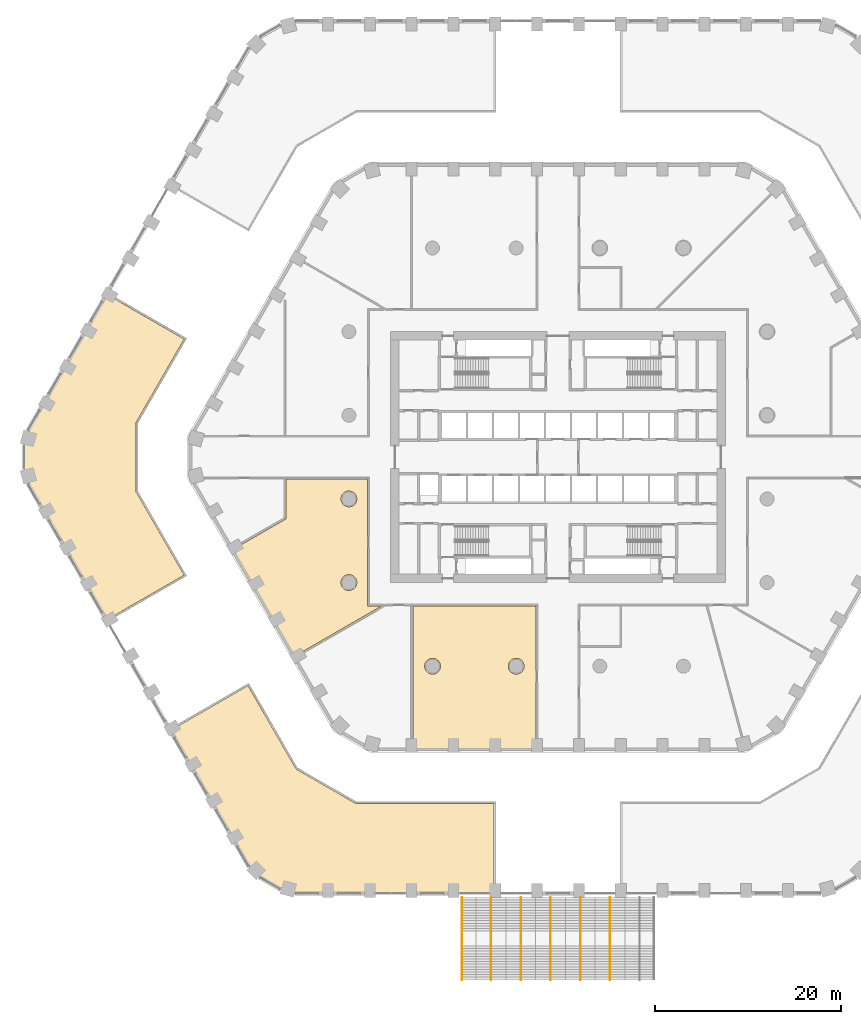
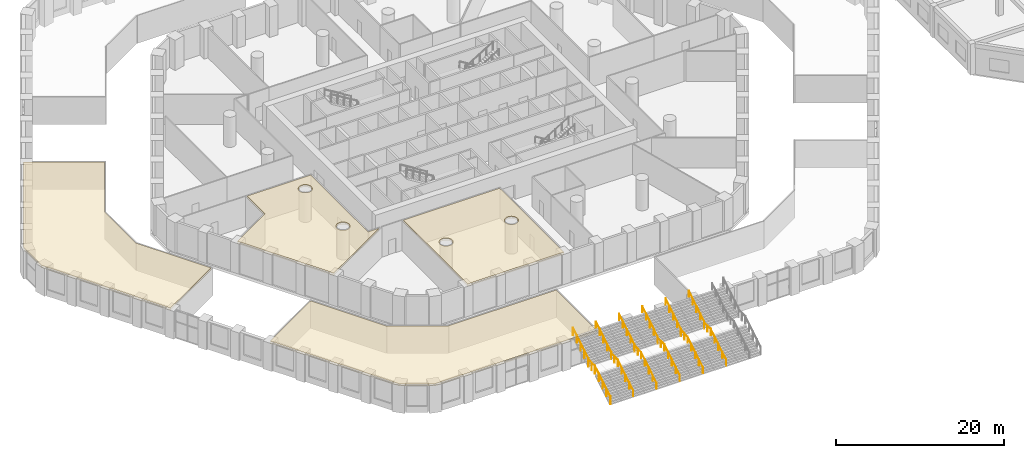
# One storey, part 32 of 42: 6 railings, 4 coverings.
"""IFC4 building model written with IfcOpenShell, lengths in metres."""

from ifc_helpers import new_model, si_unit, direction, frame, origin, origin_2d, place, context, subcontext, project, spatial, polyline, circle, outline, extrude, material, layer, layer_set, type_object, element, save


model = new_model("IFC4")

# Units and contexts
model_context = context("Model", 3, precision=1e-05, world=origin(), true_north=direction((0.0, 1.0)))
body_context = subcontext(model_context, "Body", "Model", "MODEL_VIEW")
ifc_project = project(units=[si_unit("LENGTHUNIT", "METRE"), si_unit("AREAUNIT", "SQUARE_METRE"), si_unit("VOLUMEUNIT", "CUBIC_METRE"), si_unit("PLANEANGLEUNIT", "RADIAN"), si_unit("MASSUNIT", "GRAM", prefix="KILO")], contexts=[model_context])

# Site, building, storey
site_placement = place(None, origin())
site = spatial("IfcSite", under=ifc_project, at=site_placement, CompositionType="ELEMENT")
building_placement = place(site_placement, origin())
building = spatial("IfcBuilding", under=site, at=building_placement, Name="Dhurran Vertical Campus", CompositionType="ELEMENT")
storey_placement = place(building_placement, frame((0.0, 0.0, 6.0)))
storey = spatial("IfcBuildingStorey", under=building, at=storey_placement, Name="L01", CompositionType="ELEMENT", Elevation=6.0)

# Coverings
ifc_material_1 = material(Name="Mineral fibre ceiling tiles on suspended grid")
ifc_layer = layer(ifc_material_1, 0.35009765625)
ifc_layer_set = layer_set([ifc_layer], Name="Mineral fibre ceiling tiles on suspended grid")
covering_type = type_object("IfcCoveringType", Name="fl-CE-350 suspended ceiling", PredefinedType="CEILING", material=ifc_layer_set)
covering_1_placement = place(storey_placement, frame((0.0, 0.0, 3.699951171875)))
element("IfcCovering", 1, at=covering_1_placement, inside=storey, type_object=covering_type, Name="Ceiling 00-H01", PredefinedType="CEILING", context=body_context, shape_type="SweptSolid", body=[
    extrude(outline(polyline([(-6.8701171875, -46.947998046875), (-29.137939453125, -46.947998046875), (-32.839111328125, -44.81103515625), (-41.722900390625, -29.424072265625), (-33.367919921875, -24.60009765625), (-28.18798828125, -33.571044921875), (-21.72900390625, -37.300048828125), (-6.8701171875, -37.300048828125), (-6.8701171875, -46.947998046875)])), origin(), (0.0, 0.0, 1.0), 0.35009765625),
])
covering_2_placement = place(storey_placement, frame((0.0, 0.0, 3.699951171875)))
element("IfcCovering", 2, at=covering_2_placement, inside=storey, type_object=covering_type, Name="Ceiling 00-H06", PredefinedType="CEILING", context=body_context, shape_type="SweptSolid", body=[
    extrude(outline(polyline([(-48.593017578125, -17.52392578125), (-57.47705078125, -2.137939453125), (-57.47705078125, 2.137939453125), (-48.593017578125, 17.52392578125), (-40.238037109375, 12.699951171875), (-45.4169921875, 3.72900390625), (-45.4169921875, -3.72900390625), (-40.238037109375, -12.699951171875), (-48.593017578125, -17.52392578125)])), origin(), (0.0, 0.0, 1.0), 0.35009765625),
])
covering_3_placement = place(storey_placement, frame((0.0, 0.0, 4.050048828125)))
element("IfcCovering", 3, at=covering_3_placement, inside=storey, type_object=covering_type, Name="Ceiling 01-07", PredefinedType="CEILING", context=body_context, shape_type="SweptSolid", body=[
    extrude(outline(polyline([(-20.52001953125, -2.3701171875), (-20.52001953125, -16.02001953125), (-18.988037109375, -16.02001953125), (-28.343017578125, -21.422119140625), (-34.972900390625, -9.93798828125), (-29.280029296875, -6.65087890625), (-29.280029296875, -2.3701171875), (-20.52001953125, -2.3701171875)]), holes=[polyline([(-22.5, -12.64990234375), (-22.5830078125, -12.654052734375), (-22.666015625, -12.666015625), (-22.7470703125, -12.68701171875), (-22.824951171875, -12.715087890625), (-22.90087890625, -12.75), (-22.971923828125, -12.79296875), (-23.0390625, -12.843017578125), (-23.10107421875, -12.89892578125), (-23.156982421875, -12.9609375), (-23.20703125, -13.028076171875), (-23.25, -13.09912109375), (-23.284912109375, -13.175048828125), (-23.31298828125, -13.2529296875), (-23.333984375, -13.333984375), (-23.345947265625, -13.4169921875), (-23.35009765625, -13.5), (-23.345947265625, -13.5830078125), (-23.333984375, -13.666015625), (-23.31298828125, -13.7470703125), (-23.284912109375, -13.824951171875), (-23.25, -13.90087890625), (-23.20703125, -13.971923828125), (-23.156982421875, -14.0390625), (-23.10107421875, -14.10107421875), (-23.0390625, -14.156982421875), (-22.971923828125, -14.20703125), (-22.90087890625, -14.25), (-22.824951171875, -14.284912109375), (-22.7470703125, -14.31298828125), (-22.666015625, -14.333984375), (-22.5830078125, -14.345947265625), (-22.5, -14.35009765625), (-22.4169921875, -14.345947265625), (-22.333984375, -14.333984375), (-22.2529296875, -14.31298828125), (-22.175048828125, -14.284912109375), (-22.09912109375, -14.25), (-22.028076171875, -14.20703125), (-21.9609375, -14.156982421875), (-21.89892578125, -14.10107421875), (-21.843017578125, -14.0390625), (-21.79296875, -13.971923828125), (-21.75, -13.90087890625), (-21.715087890625, -13.824951171875), (-21.68701171875, -13.7470703125), (-21.666015625, -13.666015625), (-21.654052734375, -13.5830078125), (-21.64990234375, -13.5), (-21.654052734375, -13.4169921875), (-21.666015625, -13.333984375), (-21.68701171875, -13.2529296875), (-21.715087890625, -13.175048828125), (-21.75, -13.09912109375), (-21.79296875, -13.028076171875), (-21.843017578125, -12.9609375), (-21.89892578125, -12.89892578125), (-21.9609375, -12.843017578125), (-22.028076171875, -12.79296875), (-22.09912109375, -12.75), (-22.175048828125, -12.715087890625), (-22.2529296875, -12.68701171875), (-22.333984375, -12.666015625), (-22.4169921875, -12.654052734375), (-22.5, -12.64990234375)]), polyline([(-22.4169921875, -3.654052734375), (-22.5, -3.64990234375), (-22.5830078125, -3.654052734375), (-22.666015625, -3.666015625), (-22.7470703125, -3.68701171875), (-22.824951171875, -3.715087890625), (-22.90087890625, -3.75), (-22.971923828125, -3.79296875), (-23.0390625, -3.843017578125), (-23.10107421875, -3.89892578125), (-23.156982421875, -3.9609375), (-23.20703125, -4.028076171875), (-23.25, -4.09912109375), (-23.284912109375, -4.175048828125), (-23.31298828125, -4.2529296875), (-23.333984375, -4.333984375), (-23.345947265625, -4.4169921875), (-23.35009765625, -4.5), (-23.345947265625, -4.5830078125), (-23.333984375, -4.666015625), (-23.31298828125, -4.7470703125), (-23.284912109375, -4.824951171875), (-23.25, -4.90087890625), (-23.20703125, -4.971923828125), (-23.156982421875, -5.0390625), (-23.10107421875, -5.10107421875), (-23.0390625, -5.156982421875), (-22.971923828125, -5.20703125), (-22.90087890625, -5.25), (-22.824951171875, -5.284912109375), (-22.7470703125, -5.31298828125), (-22.666015625, -5.333984375), (-22.5830078125, -5.345947265625), (-22.5, -5.35009765625), (-22.4169921875, -5.345947265625), (-22.333984375, -5.333984375), (-22.2529296875, -5.31298828125), (-22.175048828125, -5.284912109375), (-22.09912109375, -5.25), (-22.028076171875, -5.20703125), (-21.9609375, -5.156982421875), (-21.89892578125, -5.10107421875), (-21.843017578125, -5.0390625), (-21.79296875, -4.971923828125), (-21.75, -4.90087890625), (-21.715087890625, -4.824951171875), (-21.68701171875, -4.7470703125), (-21.666015625, -4.666015625), (-21.654052734375, -4.5830078125), (-21.64990234375, -4.5), (-21.654052734375, -4.4169921875), (-21.666015625, -4.333984375), (-21.68701171875, -4.2529296875), (-21.715087890625, -4.175048828125), (-21.75, -4.09912109375), (-21.79296875, -4.028076171875), (-21.843017578125, -3.9609375), (-21.89892578125, -3.89892578125), (-21.9609375, -3.843017578125), (-22.028076171875, -3.79296875), (-22.09912109375, -3.75), (-22.175048828125, -3.715087890625), (-22.2529296875, -3.68701171875), (-22.333984375, -3.666015625), (-22.4169921875, -3.654052734375)])]), origin(), (0.0, 0.0, 1.0), 0.349853515625),
])
covering_4_placement = place(storey_placement, frame((0.0, 0.0, 4.050048828125)))
element("IfcCovering", 4, at=covering_4_placement, inside=storey, type_object=covering_type, Name="Ceiling 01-11", PredefinedType="CEILING", context=body_context, shape_type="SweptSolid", body=[
    extrude(outline(polyline([(-15.6298828125, -16.02001953125), (-2.3701171875, -16.02001953125), (-2.3701171875, -31.360107421875), (-15.6298828125, -31.360107421875), (-15.6298828125, -16.02001953125)]), holes=[polyline([(-13.175048828125, -21.715087890625), (-13.2529296875, -21.68701171875), (-13.333984375, -21.666015625), (-13.4169921875, -21.654052734375), (-13.5, -21.64990234375), (-13.5830078125, -21.654052734375), (-13.666015625, -21.666015625), (-13.7470703125, -21.68701171875), (-13.824951171875, -21.715087890625), (-13.90087890625, -21.75), (-13.971923828125, -21.79296875), (-14.0390625, -21.843017578125), (-14.10107421875, -21.89892578125), (-14.156982421875, -21.9609375), (-14.20703125, -22.028076171875), (-14.25, -22.09912109375), (-14.284912109375, -22.175048828125), (-14.31298828125, -22.2529296875), (-14.333984375, -22.333984375), (-14.345947265625, -22.4169921875), (-14.35009765625, -22.5), (-14.345947265625, -22.5830078125), (-14.333984375, -22.666015625), (-14.31298828125, -22.7470703125), (-14.284912109375, -22.824951171875), (-14.25, -22.90087890625), (-14.20703125, -22.971923828125), (-14.156982421875, -23.0390625), (-14.10107421875, -23.10107421875), (-14.0390625, -23.156982421875), (-13.971923828125, -23.20703125), (-13.90087890625, -23.25), (-13.824951171875, -23.284912109375), (-13.7470703125, -23.31298828125), (-13.666015625, -23.333984375), (-13.5830078125, -23.345947265625), (-13.5, -23.35009765625), (-13.4169921875, -23.345947265625), (-13.333984375, -23.333984375), (-13.2529296875, -23.31298828125), (-13.175048828125, -23.284912109375), (-13.09912109375, -23.25), (-13.028076171875, -23.20703125), (-12.9609375, -23.156982421875), (-12.89892578125, -23.10107421875), (-12.843017578125, -23.0390625), (-12.79296875, -22.971923828125), (-12.75, -22.90087890625), (-12.715087890625, -22.824951171875), (-12.68701171875, -22.7470703125), (-12.666015625, -22.666015625), (-12.654052734375, -22.5830078125), (-12.64990234375, -22.5), (-12.654052734375, -22.4169921875), (-12.666015625, -22.333984375), (-12.68701171875, -22.2529296875), (-12.715087890625, -22.175048828125), (-12.75, -22.09912109375), (-12.79296875, -22.028076171875), (-12.843017578125, -21.9609375), (-12.89892578125, -21.89892578125), (-12.9609375, -21.843017578125), (-13.028076171875, -21.79296875), (-13.09912109375, -21.75), (-13.175048828125, -21.715087890625)]), polyline([(-4.028076171875, -21.79296875), (-4.09912109375, -21.75), (-4.175048828125, -21.715087890625), (-4.2529296875, -21.68701171875), (-4.333984375, -21.666015625), (-4.4169921875, -21.654052734375), (-4.5, -21.64990234375), (-4.5830078125, -21.654052734375), (-4.666015625, -21.666015625), (-4.7470703125, -21.68701171875), (-4.824951171875, -21.715087890625), (-4.90087890625, -21.75), (-4.971923828125, -21.79296875), (-5.0390625, -21.843017578125), (-5.10107421875, -21.89892578125), (-5.156982421875, -21.9609375), (-5.20703125, -22.028076171875), (-5.25, -22.09912109375), (-5.284912109375, -22.175048828125), (-5.31298828125, -22.2529296875), (-5.333984375, -22.333984375), (-5.345947265625, -22.4169921875), (-5.35009765625, -22.5), (-5.345947265625, -22.5830078125), (-5.333984375, -22.666015625), (-5.31298828125, -22.7470703125), (-5.284912109375, -22.824951171875), (-5.25, -22.90087890625), (-5.20703125, -22.971923828125), (-5.156982421875, -23.0390625), (-5.10107421875, -23.10107421875), (-5.0390625, -23.156982421875), (-4.971923828125, -23.20703125), (-4.90087890625, -23.25), (-4.824951171875, -23.284912109375), (-4.7470703125, -23.31298828125), (-4.666015625, -23.333984375), (-4.5830078125, -23.345947265625), (-4.5, -23.35009765625), (-4.4169921875, -23.345947265625), (-4.333984375, -23.333984375), (-4.2529296875, -23.31298828125), (-4.175048828125, -23.284912109375), (-4.09912109375, -23.25), (-4.028076171875, -23.20703125), (-3.9609375, -23.156982421875), (-3.89892578125, -23.10107421875), (-3.843017578125, -23.0390625), (-3.79296875, -22.971923828125), (-3.75, -22.90087890625), (-3.715087890625, -22.824951171875), (-3.68701171875, -22.7470703125), (-3.666015625, -22.666015625), (-3.654052734375, -22.5830078125), (-3.64990234375, -22.5), (-3.654052734375, -22.4169921875), (-3.666015625, -22.333984375), (-3.68701171875, -22.2529296875), (-3.715087890625, -22.175048828125), (-3.75, -22.09912109375), (-3.79296875, -22.028076171875), (-3.843017578125, -21.9609375), (-3.89892578125, -21.89892578125), (-3.9609375, -21.843017578125), (-4.028076171875, -21.79296875)])]), origin(), (0.0, 0.0, 1.0), 0.349853515625),
])

# Railings
ifc_material_2 = material(Name="Steel S355J2H", Category="steel")
railing_type_1 = type_object("IfcRailingType", Name="st-guard 1100", PredefinedType="GUARDRAIL", material=ifc_material_2)
railing_1_placement = place(storey_placement, frame((-10.35009765625, -56.248291015625, 0.17138671875)))
element("IfcRailing", 5, at=railing_1_placement, inside=storey, type_object=railing_type_1, Name="Broad stair DS2 guard W", PredefinedType="GUARDRAIL", context=body_context, shape_type="SweptSolid", body=[
    extrude(circle(Radius=0.02392578125, at=origin_2d()), frame((0.0, 0.0, 1.076171875), z_axis=(0.0, 0.852850264322, 0.5221555579), x_axis=(-1.0, 0.0, 0.0)), (0.0, 0.0, 1.0), 4.267822265625),
    extrude(circle(Radius=0.02392578125, at=origin_2d()), frame((0.0, 3.639892578125, 3.3046875), z_axis=(0.0, 1.0, 0.0), x_axis=(-1.0, 0.0, 0.0)), (0.0, 0.0, 1.0), 1.60009765625),
    extrude(circle(Radius=0.02392578125, at=origin_2d()), frame((0.0, 5.239990234375, 3.3046875), z_axis=(0.0, 0.0, 1.0), x_axis=(1.0, 0.0, 0.0)), (0.0, 0.0, 1.0), 0.17138671875),
    extrude(circle(Radius=0.02392578125, at=origin_2d()), frame((0.0, 5.239990234375, 3.47607421875), z_axis=(0.0, 0.852824790078, 0.522197163366), x_axis=(-1.0, 0.0, 0.0)), (0.0, 0.0, 1.0), 4.26806640625),
    extrude(circle(Radius=0.02099609375, at=origin_2d()), origin(), (0.0, 0.0, 1.0), 1.052001953125),
    extrude(circle(Radius=0.02099609375, at=origin_2d()), frame((0.0, 0.909912109375, 0.55712890625)), (0.0, 0.0, 1.0), 1.052001953125),
    extrude(circle(Radius=0.02099609375, at=origin_2d()), frame((0.0, 1.81982421875, 1.1142578125)), (0.0, 0.0, 1.0), 1.052001953125),
    extrude(circle(Radius=0.02099609375, at=origin_2d()), frame((0.0, 2.72998046875, 1.67138671875)), (0.0, 0.0, 1.0), 1.052001953125),
    extrude(circle(Radius=0.02099609375, at=origin_2d()), frame((0.0, 3.639892578125, 2.228515625)), (0.0, 0.0, 1.0), 1.052001953125),
    extrude(circle(Radius=0.02099609375, at=origin_2d()), frame((0.0, 4.43994140625, 2.228515625)), (0.0, 0.0, 1.0), 1.052001953125),
    extrude(circle(Radius=0.02099609375, at=origin_2d()), frame((0.0, 5.239990234375, 2.228515625)), (0.0, 0.0, 1.0), 1.052001953125),
    extrude(circle(Radius=0.02099609375, at=origin_2d()), frame((0.0, 5.239990234375, 2.39990234375)), (0.0, 0.0, 1.0), 1.052001953125),
    extrude(circle(Radius=0.02099609375, at=origin_2d()), frame((0.0, 6.14990234375, 2.95703125)), (0.0, 0.0, 1.0), 1.052001953125),
    extrude(circle(Radius=0.02099609375, at=origin_2d()), frame((0.0, 7.06005859375, 3.51416015625)), (0.0, 0.0, 1.0), 1.052001953125),
    extrude(circle(Radius=0.02099609375, at=origin_2d()), frame((0.0, 7.969970703125, 4.071533203125)), (0.0, 0.0, 1.0), 1.052001953125),
    extrude(circle(Radius=0.02099609375, at=origin_2d()), frame((0.0, 8.8798828125, 4.628662109375)), (0.0, 0.0, 1.0), 1.052001953125),
])
ifc_material_3 = material(Name="Steel S355J2H", Category="steel")
railing_type_2 = type_object("IfcRailingType", Name="st-handrail 900", PredefinedType="HANDRAIL", material=ifc_material_3)
railing_2_placement = place(storey_placement, frame((-7.199951171875, -56.248291015625, 0.17138671875)))
element("IfcRailing", 6, at=railing_2_placement, inside=storey, type_object=railing_type_2, Name="Broad stair DS2 handrail 1", PredefinedType="HANDRAIL", context=body_context, shape_type="SweptSolid", body=[
    extrude(circle(Radius=0.02392578125, at=origin_2d()), frame((0.0, 0.0, 0.8759765625), z_axis=(0.0, 0.852850264322, 0.5221555579), x_axis=(-1.0, 0.0, 0.0)), (0.0, 0.0, 1.0), 4.267822265625),
    extrude(circle(Radius=0.02392578125, at=origin_2d()), frame((0.0, 3.639892578125, 3.1044921875), z_axis=(0.0, 1.0, 0.0), x_axis=(-1.0, 0.0, 0.0)), (0.0, 0.0, 1.0), 1.60009765625),
    extrude(circle(Radius=0.02392578125, at=origin_2d()), frame((0.0, 5.239990234375, 3.1044921875), z_axis=(0.0, 0.0, 1.0), x_axis=(1.0, 0.0, 0.0)), (0.0, 0.0, 1.0), 0.17138671875),
    extrude(circle(Radius=0.02392578125, at=origin_2d()), frame((0.0, 5.239990234375, 3.27587890625), z_axis=(0.0, 0.852824790078, 0.522197163366), x_axis=(-1.0, 0.0, 0.0)), (0.0, 0.0, 1.0), 4.26806640625),
    extrude(circle(Radius=0.02099609375, at=origin_2d()), origin(), (0.0, 0.0, 1.0), 0.851806640625),
    extrude(circle(Radius=0.02099609375, at=origin_2d()), frame((0.0, 0.909912109375, 0.55712890625)), (0.0, 0.0, 1.0), 0.851806640625),
    extrude(circle(Radius=0.02099609375, at=origin_2d()), frame((0.0, 1.81982421875, 1.1142578125)), (0.0, 0.0, 1.0), 0.851806640625),
    extrude(circle(Radius=0.02099609375, at=origin_2d()), frame((0.0, 2.72998046875, 1.67138671875)), (0.0, 0.0, 1.0), 0.851806640625),
    extrude(circle(Radius=0.02099609375, at=origin_2d()), frame((0.0, 3.639892578125, 2.228515625)), (0.0, 0.0, 1.0), 0.851806640625),
    extrude(circle(Radius=0.02099609375, at=origin_2d()), frame((0.0, 4.43994140625, 2.228515625)), (0.0, 0.0, 1.0), 0.851806640625),
    extrude(circle(Radius=0.02099609375, at=origin_2d()), frame((0.0, 5.239990234375, 2.228515625)), (0.0, 0.0, 1.0), 0.851806640625),
    extrude(circle(Radius=0.02099609375, at=origin_2d()), frame((0.0, 5.239990234375, 2.39990234375)), (0.0, 0.0, 1.0), 0.851806640625),
    extrude(circle(Radius=0.02099609375, at=origin_2d()), frame((0.0, 6.14990234375, 2.95703125)), (0.0, 0.0, 1.0), 0.851806640625),
    extrude(circle(Radius=0.02099609375, at=origin_2d()), frame((0.0, 7.06005859375, 3.51416015625)), (0.0, 0.0, 1.0), 0.851806640625),
    extrude(circle(Radius=0.02099609375, at=origin_2d()), frame((0.0, 7.969970703125, 4.071533203125)), (0.0, 0.0, 1.0), 0.851806640625),
    extrude(circle(Radius=0.02099609375, at=origin_2d()), frame((0.0, 8.8798828125, 4.628662109375)), (0.0, 0.0, 1.0), 0.851806640625),
])
railing_3_placement = place(storey_placement, frame((-4.0, -56.248291015625, 0.17138671875)))
element("IfcRailing", 7, at=railing_3_placement, inside=storey, type_object=railing_type_2, Name="Broad stair DS2 handrail 2", PredefinedType="HANDRAIL", context=body_context, shape_type="SweptSolid", body=[
    extrude(circle(Radius=0.02392578125, at=origin_2d()), frame((0.0, 0.0, 0.8759765625), z_axis=(0.0, 0.852850264322, 0.5221555579), x_axis=(-1.0, 0.0, 0.0)), (0.0, 0.0, 1.0), 4.267822265625),
    extrude(circle(Radius=0.02392578125, at=origin_2d()), frame((0.0, 3.639892578125, 3.1044921875), z_axis=(0.0, 1.0, 0.0), x_axis=(-1.0, 0.0, 0.0)), (0.0, 0.0, 1.0), 1.60009765625),
    extrude(circle(Radius=0.02392578125, at=origin_2d()), frame((0.0, 5.239990234375, 3.1044921875), z_axis=(0.0, 0.0, 1.0), x_axis=(1.0, 0.0, 0.0)), (0.0, 0.0, 1.0), 0.17138671875),
    extrude(circle(Radius=0.02392578125, at=origin_2d()), frame((0.0, 5.239990234375, 3.27587890625), z_axis=(0.0, 0.852824790078, 0.522197163366), x_axis=(-1.0, 0.0, 0.0)), (0.0, 0.0, 1.0), 4.26806640625),
    extrude(circle(Radius=0.02099609375, at=origin_2d()), origin(), (0.0, 0.0, 1.0), 0.851806640625),
    extrude(circle(Radius=0.02099609375, at=origin_2d()), frame((0.0, 0.909912109375, 0.55712890625)), (0.0, 0.0, 1.0), 0.851806640625),
    extrude(circle(Radius=0.02099609375, at=origin_2d()), frame((0.0, 1.81982421875, 1.1142578125)), (0.0, 0.0, 1.0), 0.851806640625),
    extrude(circle(Radius=0.02099609375, at=origin_2d()), frame((0.0, 2.72998046875, 1.67138671875)), (0.0, 0.0, 1.0), 0.851806640625),
    extrude(circle(Radius=0.02099609375, at=origin_2d()), frame((0.0, 3.639892578125, 2.228515625)), (0.0, 0.0, 1.0), 0.851806640625),
    extrude(circle(Radius=0.02099609375, at=origin_2d()), frame((0.0, 4.43994140625, 2.228515625)), (0.0, 0.0, 1.0), 0.851806640625),
    extrude(circle(Radius=0.02099609375, at=origin_2d()), frame((0.0, 5.239990234375, 2.228515625)), (0.0, 0.0, 1.0), 0.851806640625),
    extrude(circle(Radius=0.02099609375, at=origin_2d()), frame((0.0, 5.239990234375, 2.39990234375)), (0.0, 0.0, 1.0), 0.851806640625),
    extrude(circle(Radius=0.02099609375, at=origin_2d()), frame((0.0, 6.14990234375, 2.95703125)), (0.0, 0.0, 1.0), 0.851806640625),
    extrude(circle(Radius=0.02099609375, at=origin_2d()), frame((0.0, 7.06005859375, 3.51416015625)), (0.0, 0.0, 1.0), 0.851806640625),
    extrude(circle(Radius=0.02099609375, at=origin_2d()), frame((0.0, 7.969970703125, 4.071533203125)), (0.0, 0.0, 1.0), 0.851806640625),
    extrude(circle(Radius=0.02099609375, at=origin_2d()), frame((0.0, 8.8798828125, 4.628662109375)), (0.0, 0.0, 1.0), 0.851806640625),
])
railing_4_placement = place(storey_placement, frame((-0.800048828125, -56.248291015625, 0.17138671875)))
element("IfcRailing", 8, at=railing_4_placement, inside=storey, type_object=railing_type_2, Name="Broad stair DS2 handrail 3", PredefinedType="HANDRAIL", context=body_context, shape_type="SweptSolid", body=[
    extrude(circle(Radius=0.02392578125, at=origin_2d()), frame((0.0, 0.0, 0.8759765625), z_axis=(0.0, 0.852850264322, 0.5221555579), x_axis=(-1.0, 0.0, 0.0)), (0.0, 0.0, 1.0), 4.267822265625),
    extrude(circle(Radius=0.02392578125, at=origin_2d()), frame((0.0, 3.639892578125, 3.1044921875), z_axis=(0.0, 1.0, 0.0), x_axis=(-1.0, 0.0, 0.0)), (0.0, 0.0, 1.0), 1.60009765625),
    extrude(circle(Radius=0.02392578125, at=origin_2d()), frame((0.0, 5.239990234375, 3.1044921875), z_axis=(0.0, 0.0, 1.0), x_axis=(1.0, 0.0, 0.0)), (0.0, 0.0, 1.0), 0.17138671875),
    extrude(circle(Radius=0.02392578125, at=origin_2d()), frame((0.0, 5.239990234375, 3.27587890625), z_axis=(0.0, 0.852824790078, 0.522197163366), x_axis=(-1.0, 0.0, 0.0)), (0.0, 0.0, 1.0), 4.26806640625),
    extrude(circle(Radius=0.02099609375, at=origin_2d()), origin(), (0.0, 0.0, 1.0), 0.851806640625),
    extrude(circle(Radius=0.02099609375, at=origin_2d()), frame((0.0, 0.909912109375, 0.55712890625)), (0.0, 0.0, 1.0), 0.851806640625),
    extrude(circle(Radius=0.02099609375, at=origin_2d()), frame((0.0, 1.81982421875, 1.1142578125)), (0.0, 0.0, 1.0), 0.851806640625),
    extrude(circle(Radius=0.02099609375, at=origin_2d()), frame((0.0, 2.72998046875, 1.67138671875)), (0.0, 0.0, 1.0), 0.851806640625),
    extrude(circle(Radius=0.02099609375, at=origin_2d()), frame((0.0, 3.639892578125, 2.228515625)), (0.0, 0.0, 1.0), 0.851806640625),
    extrude(circle(Radius=0.02099609375, at=origin_2d()), frame((0.0, 4.43994140625, 2.228515625)), (0.0, 0.0, 1.0), 0.851806640625),
    extrude(circle(Radius=0.02099609375, at=origin_2d()), frame((0.0, 5.239990234375, 2.228515625)), (0.0, 0.0, 1.0), 0.851806640625),
    extrude(circle(Radius=0.02099609375, at=origin_2d()), frame((0.0, 5.239990234375, 2.39990234375)), (0.0, 0.0, 1.0), 0.851806640625),
    extrude(circle(Radius=0.02099609375, at=origin_2d()), frame((0.0, 6.14990234375, 2.95703125)), (0.0, 0.0, 1.0), 0.851806640625),
    extrude(circle(Radius=0.02099609375, at=origin_2d()), frame((0.0, 7.06005859375, 3.51416015625)), (0.0, 0.0, 1.0), 0.851806640625),
    extrude(circle(Radius=0.02099609375, at=origin_2d()), frame((0.0, 7.969970703125, 4.071533203125)), (0.0, 0.0, 1.0), 0.851806640625),
    extrude(circle(Radius=0.02099609375, at=origin_2d()), frame((0.0, 8.8798828125, 4.628662109375)), (0.0, 0.0, 1.0), 0.851806640625),
])
railing_5_placement = place(storey_placement, frame((2.39990234375, -56.248291015625, 0.17138671875)))
element("IfcRailing", 9, at=railing_5_placement, inside=storey, type_object=railing_type_2, Name="Broad stair DS2 handrail 4", PredefinedType="HANDRAIL", context=body_context, shape_type="SweptSolid", body=[
    extrude(circle(Radius=0.02392578125, at=origin_2d()), frame((0.0, 0.0, 0.8759765625), z_axis=(0.0, 0.852850264322, 0.5221555579), x_axis=(-1.0, 0.0, 0.0)), (0.0, 0.0, 1.0), 4.267822265625),
    extrude(circle(Radius=0.02392578125, at=origin_2d()), frame((0.0, 3.639892578125, 3.1044921875), z_axis=(0.0, 1.0, 0.0), x_axis=(-1.0, 0.0, 0.0)), (0.0, 0.0, 1.0), 1.60009765625),
    extrude(circle(Radius=0.02392578125, at=origin_2d()), frame((0.0, 5.239990234375, 3.1044921875), z_axis=(0.0, 0.0, 1.0), x_axis=(1.0, 0.0, 0.0)), (0.0, 0.0, 1.0), 0.17138671875),
    extrude(circle(Radius=0.02392578125, at=origin_2d()), frame((0.0, 5.239990234375, 3.27587890625), z_axis=(0.0, 0.852824790078, 0.522197163366), x_axis=(-1.0, 0.0, 0.0)), (0.0, 0.0, 1.0), 4.26806640625),
    extrude(circle(Radius=0.02099609375, at=origin_2d()), origin(), (0.0, 0.0, 1.0), 0.851806640625),
    extrude(circle(Radius=0.02099609375, at=origin_2d()), frame((0.0, 0.909912109375, 0.55712890625)), (0.0, 0.0, 1.0), 0.851806640625),
    extrude(circle(Radius=0.02099609375, at=origin_2d()), frame((0.0, 1.81982421875, 1.1142578125)), (0.0, 0.0, 1.0), 0.851806640625),
    extrude(circle(Radius=0.02099609375, at=origin_2d()), frame((0.0, 2.72998046875, 1.67138671875)), (0.0, 0.0, 1.0), 0.851806640625),
    extrude(circle(Radius=0.02099609375, at=origin_2d()), frame((0.0, 3.639892578125, 2.228515625)), (0.0, 0.0, 1.0), 0.851806640625),
    extrude(circle(Radius=0.02099609375, at=origin_2d()), frame((0.0, 4.43994140625, 2.228515625)), (0.0, 0.0, 1.0), 0.851806640625),
    extrude(circle(Radius=0.02099609375, at=origin_2d()), frame((0.0, 5.239990234375, 2.228515625)), (0.0, 0.0, 1.0), 0.851806640625),
    extrude(circle(Radius=0.02099609375, at=origin_2d()), frame((0.0, 5.239990234375, 2.39990234375)), (0.0, 0.0, 1.0), 0.851806640625),
    extrude(circle(Radius=0.02099609375, at=origin_2d()), frame((0.0, 6.14990234375, 2.95703125)), (0.0, 0.0, 1.0), 0.851806640625),
    extrude(circle(Radius=0.02099609375, at=origin_2d()), frame((0.0, 7.06005859375, 3.51416015625)), (0.0, 0.0, 1.0), 0.851806640625),
    extrude(circle(Radius=0.02099609375, at=origin_2d()), frame((0.0, 7.969970703125, 4.071533203125)), (0.0, 0.0, 1.0), 0.851806640625),
    extrude(circle(Radius=0.02099609375, at=origin_2d()), frame((0.0, 8.8798828125, 4.628662109375)), (0.0, 0.0, 1.0), 0.851806640625),
])
railing_6_placement = place(storey_placement, frame((5.60009765625, -56.248291015625, 0.17138671875)))
element("IfcRailing", 10, at=railing_6_placement, inside=storey, type_object=railing_type_2, Name="Broad stair DS2 handrail 5", PredefinedType="HANDRAIL", context=body_context, shape_type="SweptSolid", body=[
    extrude(circle(Radius=0.02392578125, at=origin_2d()), frame((0.0, 0.0, 0.8759765625), z_axis=(0.0, 0.852850264322, 0.5221555579), x_axis=(-1.0, 0.0, 0.0)), (0.0, 0.0, 1.0), 4.267822265625),
    extrude(circle(Radius=0.02392578125, at=origin_2d()), frame((0.0, 3.639892578125, 3.1044921875), z_axis=(0.0, 1.0, 0.0), x_axis=(-1.0, 0.0, 0.0)), (0.0, 0.0, 1.0), 1.60009765625),
    extrude(circle(Radius=0.02392578125, at=origin_2d()), frame((0.0, 5.239990234375, 3.1044921875), z_axis=(0.0, 0.0, 1.0), x_axis=(1.0, 0.0, 0.0)), (0.0, 0.0, 1.0), 0.17138671875),
    extrude(circle(Radius=0.02392578125, at=origin_2d()), frame((0.0, 5.239990234375, 3.27587890625), z_axis=(0.0, 0.852824790078, 0.522197163366), x_axis=(-1.0, 0.0, 0.0)), (0.0, 0.0, 1.0), 4.26806640625),
    extrude(circle(Radius=0.02099609375, at=origin_2d()), origin(), (0.0, 0.0, 1.0), 0.851806640625),
    extrude(circle(Radius=0.02099609375, at=origin_2d()), frame((0.0, 0.909912109375, 0.55712890625)), (0.0, 0.0, 1.0), 0.851806640625),
    extrude(circle(Radius=0.02099609375, at=origin_2d()), frame((0.0, 1.81982421875, 1.1142578125)), (0.0, 0.0, 1.0), 0.851806640625),
    extrude(circle(Radius=0.02099609375, at=origin_2d()), frame((0.0, 2.72998046875, 1.67138671875)), (0.0, 0.0, 1.0), 0.851806640625),
    extrude(circle(Radius=0.02099609375, at=origin_2d()), frame((0.0, 3.639892578125, 2.228515625)), (0.0, 0.0, 1.0), 0.851806640625),
    extrude(circle(Radius=0.02099609375, at=origin_2d()), frame((0.0, 4.43994140625, 2.228515625)), (0.0, 0.0, 1.0), 0.851806640625),
    extrude(circle(Radius=0.02099609375, at=origin_2d()), frame((0.0, 5.239990234375, 2.228515625)), (0.0, 0.0, 1.0), 0.851806640625),
    extrude(circle(Radius=0.02099609375, at=origin_2d()), frame((0.0, 5.239990234375, 2.39990234375)), (0.0, 0.0, 1.0), 0.851806640625),
    extrude(circle(Radius=0.02099609375, at=origin_2d()), frame((0.0, 6.14990234375, 2.95703125)), (0.0, 0.0, 1.0), 0.851806640625),
    extrude(circle(Radius=0.02099609375, at=origin_2d()), frame((0.0, 7.06005859375, 3.51416015625)), (0.0, 0.0, 1.0), 0.851806640625),
    extrude(circle(Radius=0.02099609375, at=origin_2d()), frame((0.0, 7.969970703125, 4.071533203125)), (0.0, 0.0, 1.0), 0.851806640625),
    extrude(circle(Radius=0.02099609375, at=origin_2d()), frame((0.0, 8.8798828125, 4.628662109375)), (0.0, 0.0, 1.0), 0.851806640625),
])

save(model, "model.ifc")
